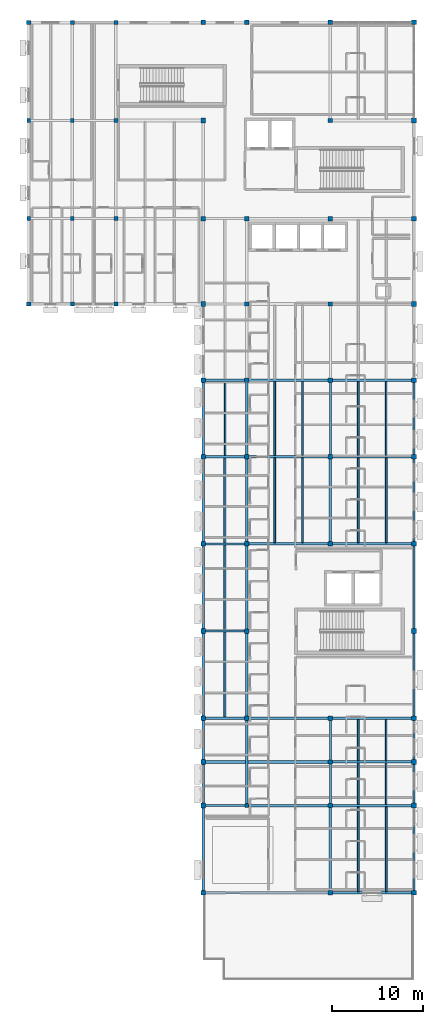
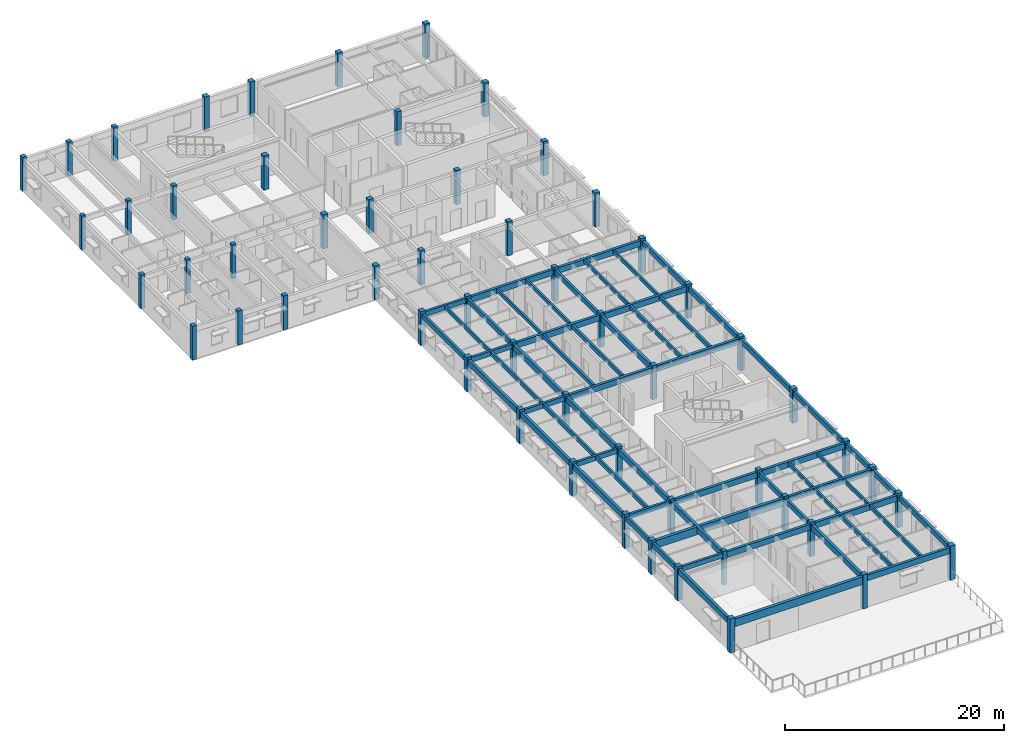
# One storey, part 1 of 22: 62 beams, 56 columns.
"""IFC4 building model written with IfcOpenShell, lengths in metres."""

from ifc_helpers import new_model, si_unit, direction, frame, origin, origin_2d, place, context, subcontext, project, spatial, rectangle, extrude, material, material_profile, profile_set, type_object, element, save


model = new_model("IFC4")

# Units and contexts
model_context = context("Model", 3, precision=1e-05, world=origin(), true_north=direction((0.0, 1.0)))
body_context = subcontext(model_context, "Body", "Model", "MODEL_VIEW")
ifc_project = project(units=[si_unit("LENGTHUNIT", "METRE"), si_unit("AREAUNIT", "SQUARE_METRE"), si_unit("VOLUMEUNIT", "CUBIC_METRE"), si_unit("PLANEANGLEUNIT", "RADIAN"), si_unit("MASSUNIT", "GRAM", prefix="KILO")], contexts=[model_context])

# Site, building, storey
site_placement = place(None, origin())
site = spatial("IfcSite", under=ifc_project, at=site_placement, CompositionType="ELEMENT")
building_placement = place(site_placement, origin())
building = spatial("IfcBuilding", under=site, at=building_placement, Name="Veldera Park Congress Hotel", CompositionType="ELEMENT")
storey_placement = place(building_placement, frame((0.0, 0.0, 23.800048828125)))
storey = spatial("IfcBuildingStorey", under=building, at=storey_placement, Name="L05", CompositionType="ELEMENT", Elevation=23.800048828125)

# Columns
ifc_material = material(Name="Glulam GL28h (NDS 24F-V4)", Category="wood")
ifc_material_profile_1 = material_profile(ifc_material, rectangle(XDim=0.419921875, YDim=0.419921875, at=origin_2d()), Name="GL28h 420x420")
ifc_profile_set_1 = profile_set([ifc_material_profile_1], Name="Glulam GL28h (NDS 24F-V4)")
column_type_1 = type_object("IfcColumnType", Name="COL-GL42", PredefinedType="COLUMN", material=ifc_profile_set_1)
for number, where, z_axis, x_axis, name in (
    (1, (41.60009765625, 36.39990234375, 0.0), (0.0, 0.0, 1.0), (1.0, 0.0, 0.0), "L05 Column COL-GL42 (41.6,36.4)"),
    (2, (41.60009765625, 47.199951171875, 0.0), (0.0, 0.0, 1.0), (1.0, 0.0, 0.0), "L05 Column COL-GL42 (41.6,47.2)"),
    (3, (46.39990234375, 36.39990234375, 0.0), (0.0, 0.0, 1.0), (1.0, 0.0, 0.0), "L05 Column COL-GL42 (46.4,36.4)"),
    (4, (46.39990234375, 47.199951171875, 0.0), (0.0, 0.0, 1.0), (1.0, 0.0, 0.0), "L05 Column COL-GL42 (46.4,47.2)"),
    (5, (51.199951171875, 36.39990234375, 0.0), (0.0, 0.0, 1.0), (1.0, 0.0, 0.0), "L05 Column COL-GL42 (51.2,36.4)"),
    (6, (51.199951171875, 47.199951171875, 0.0), (0.0, 0.0, 1.0), (1.0, 0.0, 0.0), "L05 Column COL-GL42 (51.2,47.2)"),
    (7, (65.60009765625, -28.199951171875, 0.0), (0.0, 0.0, 1.0), (1.0, 0.0, 0.0), "L05 Column COL-GL42 (65.6,-28.2)"),
):
    element("IfcColumn", number, at=place(storey_placement, frame(where, z_axis=z_axis, x_axis=x_axis)), inside=storey, type_object=column_type_1, Name=name, PredefinedType="COLUMN", context=body_context, shape_type="SweptSolid", body=[
        extrude(rectangle(XDim=0.419921875, YDim=0.419921875, at=origin_2d()), origin(), (0.0, 0.0, 1.0), 3.800048828125),
    ])
ifc_material_profile_2 = material_profile(ifc_material, rectangle(XDim=0.449951171875, YDim=0.449951171875, at=origin_2d()), Name="GL28h 450x450")
ifc_profile_set_2 = profile_set([ifc_material_profile_2], Name="Glulam GL28h (NDS 24F-V4)")
column_type_2 = type_object("IfcColumnType", Name="COL-GL42E", PredefinedType="COLUMN", material=ifc_profile_set_2)
for number, where, z_axis, x_axis, name in (
    (8, (41.60009765625, 27.0, 0.0), (0.0, 0.0, 1.0), (1.0, 0.0, 0.0), "L05 Column COL-GL42E (41.6,27.0)"),
    (9, (41.60009765625, 58.0, 0.0), (0.0, 0.0, 1.0), (1.0, 0.0, 0.0), "L05 Column COL-GL42E (41.6,58.0)"),
    (10, (46.39990234375, 27.0, 0.0), (0.0, 0.0, 1.0), (1.0, 0.0, 0.0), "L05 Column COL-GL42E (46.4,27.0)"),
    (11, (46.39990234375, 58.0, 0.0), (0.0, 0.0, 1.0), (1.0, 0.0, 0.0), "L05 Column COL-GL42E (46.4,58.0)"),
    (12, (51.199951171875, 27.0, 0.0), (0.0, 0.0, 1.0), (1.0, 0.0, 0.0), "L05 Column COL-GL42E (51.2,27.0)"),
    (13, (51.199951171875, 58.0, 0.0), (0.0, 0.0, 1.0), (1.0, 0.0, 0.0), "L05 Column COL-GL42E (51.2,58.0)"),
):
    element("IfcColumn", number, at=place(storey_placement, frame(where, z_axis=z_axis, x_axis=x_axis)), inside=storey, type_object=column_type_2, Name=name, PredefinedType="COLUMN", context=body_context, shape_type="SweptSolid", body=[
        extrude(rectangle(XDim=0.449951171875, YDim=0.449951171875, at=origin_2d()), origin(), (0.0, 0.0, 1.0), 3.800048828125),
    ])
ifc_material_profile_3 = material_profile(ifc_material, rectangle(XDim=0.47998046875, YDim=0.47998046875, at=origin_2d()), Name="GL28h 480x480")
ifc_profile_set_3 = profile_set([ifc_material_profile_3], Name="Glulam GL28h (NDS 24F-V4)")
column_type_3 = type_object("IfcColumnType", Name="COL-GL48", PredefinedType="COLUMN", material=ifc_profile_set_3)
for number, where, z_axis, x_axis, name in (
    (14, (74.800048828125, -37.800048828125, 0.0), (0.0, 0.0, 1.0), (1.0, 0.0, 0.0), "L05 Column COL-GL48 (74.8,-37.8)"),
    (15, (74.800048828125, -28.199951171875, 0.0), (0.0, 0.0, 1.0), (1.0, 0.0, 0.0), "L05 Column COL-GL48 (74.8,-28.2)"),
    (16, (74.800048828125, -23.39990234375, 0.0), (0.0, 0.0, 1.0), (1.0, 0.0, 0.0), "L05 Column COL-GL48 (74.8,-23.4)"),
    (17, (74.800048828125, -18.60009765625, 0.0), (0.0, 0.0, 1.0), (1.0, 0.0, 0.0), "L05 Column COL-GL48 (74.8,-18.6)"),
    (18, (74.800048828125, 0.60009765625, 0.0), (0.0, 0.0, 1.0), (1.0, 0.0, 0.0), "L05 Column COL-GL48 (74.8,0.6)"),
    (19, (74.800048828125, 10.199951171875, 0.0), (0.0, 0.0, 1.0), (1.0, 0.0, 0.0), "L05 Column COL-GL48 (74.8,10.2)"),
    (20, (74.800048828125, 18.60009765625, 0.0), (0.0, 0.0, 1.0), (1.0, 0.0, 0.0), "L05 Column COL-GL48 (74.8,18.6)"),
    (21, (74.800048828125, 27.0, 0.0), (0.0, 0.0, 1.0), (1.0, 0.0, 0.0), "L05 Column COL-GL48 (74.8,27.0)"),
    (22, (74.800048828125, 36.39990234375, 0.0), (0.0, 0.0, 1.0), (1.0, 0.0, 0.0), "L05 Column COL-GL48 (74.8,36.4)"),
    (23, (74.800048828125, 47.199951171875, 0.0), (0.0, 0.0, 1.0), (1.0, 0.0, 0.0), "L05 Column COL-GL48 (74.8,47.2)"),
    (24, (65.60009765625, -18.60009765625, 0.0), (0.0, 0.0, 1.0), (1.0, 0.0, 0.0), "L05 Column COL-GL48 (65.6,-18.6)"),
    (25, (65.60009765625, -9.0, 0.0), (0.0, 0.0, 1.0), (1.0, 0.0, 0.0), "L05 Column COL-GL48 (65.6,-9.0)"),
    (26, (65.60009765625, 0.60009765625, 0.0), (0.0, 0.0, 1.0), (1.0, 0.0, 0.0), "L05 Column COL-GL48 (65.6,0.6)"),
    (27, (65.60009765625, 10.199951171875, 0.0), (0.0, 0.0, 1.0), (1.0, 0.0, 0.0), "L05 Column COL-GL48 (65.6,10.2)"),
    (28, (65.60009765625, 18.60009765625, 0.0), (0.0, 0.0, 1.0), (1.0, 0.0, 0.0), "L05 Column COL-GL48 (65.6,18.6)"),
    (29, (65.60009765625, 27.0, 0.0), (0.0, 0.0, 1.0), (1.0, 0.0, 0.0), "L05 Column COL-GL48 (65.6,27.0)"),
    (30, (65.60009765625, 36.39990234375, 0.0), (0.0, 0.0, 1.0), (1.0, 0.0, 0.0), "L05 Column COL-GL48 (65.6,36.4)"),
):
    element("IfcColumn", number, at=place(storey_placement, frame(where, z_axis=z_axis, x_axis=x_axis)), inside=storey, type_object=column_type_3, Name=name, PredefinedType="COLUMN", context=body_context, shape_type="SweptSolid", body=[
        extrude(rectangle(XDim=0.47998046875, YDim=0.47998046875, at=origin_2d()), origin(), (0.0, 0.0, 1.0), 3.800048828125),
    ])
ifc_material_profile_4 = material_profile(ifc_material, rectangle(XDim=0.52001953125, YDim=0.52001953125, at=origin_2d()), Name="GL28h 520x520")
ifc_profile_set_4 = profile_set([ifc_material_profile_4], Name="Glulam GL28h (NDS 24F-V4)")
column_type_4 = type_object("IfcColumnType", Name="COL-GL48E", PredefinedType="COLUMN", material=ifc_profile_set_4)
for number, where, z_axis, x_axis, name in (
    (31, (60.800048828125, -37.800048828125, 0.0), (0.0, 0.0, 1.0), (1.0, 0.0, 0.0), "L05 Column COL-GL48E (60.8,-37.8)"),
    (32, (60.800048828125, -28.199951171875, 0.0), (0.0, 0.0, 1.0), (1.0, 0.0, 0.0), "L05 Column COL-GL48E (60.8,-28.2)"),
    (33, (60.800048828125, -23.39990234375, 0.0), (0.0, 0.0, 1.0), (1.0, 0.0, 0.0), "L05 Column COL-GL48E (60.8,-23.4)"),
    (34, (60.800048828125, -18.60009765625, 0.0), (0.0, 0.0, 1.0), (1.0, 0.0, 0.0), "L05 Column COL-GL48E (60.8,-18.6)"),
    (35, (60.800048828125, -9.0, 0.0), (0.0, 0.0, 1.0), (1.0, 0.0, 0.0), "L05 Column COL-GL48E (60.8,-9.0)"),
    (36, (60.800048828125, 0.60009765625, 0.0), (0.0, 0.0, 1.0), (1.0, 0.0, 0.0), "L05 Column COL-GL48E (60.8,0.6)"),
    (37, (60.800048828125, 10.199951171875, 0.0), (0.0, 0.0, 1.0), (1.0, 0.0, 0.0), "L05 Column COL-GL48E (60.8,10.2)"),
    (38, (60.800048828125, 18.60009765625, 0.0), (0.0, 0.0, 1.0), (1.0, 0.0, 0.0), "L05 Column COL-GL48E (60.8,18.6)"),
    (39, (60.800048828125, 27.0, 0.0), (0.0, 0.0, 1.0), (1.0, 0.0, 0.0), "L05 Column COL-GL48E (60.8,27.0)"),
    (40, (60.800048828125, 36.39990234375, 0.0), (0.0, 0.0, 1.0), (1.0, 0.0, 0.0), "L05 Column COL-GL48E (60.8,36.4)"),
    (41, (60.800048828125, 47.199951171875, 0.0), (0.0, 0.0, 1.0), (1.0, 0.0, 0.0), "L05 Column COL-GL48E (60.8,47.2)"),
    (42, (60.800048828125, 58.0, 0.0), (0.0, 0.0, 1.0), (1.0, 0.0, 0.0), "L05 Column COL-GL48E (60.8,58.0)"),
    (43, (74.800048828125, 58.0, 0.0), (0.0, 0.0, 1.0), (1.0, 0.0, 0.0), "L05 Column COL-GL48E (74.8,58.0)"),
    (44, (84.0, -37.800048828125, 0.0), (0.0, 0.0, 1.0), (1.0, 0.0, 0.0), "L05 Column COL-GL48E (84.0,-37.8)"),
    (45, (84.0, -28.199951171875, 0.0), (0.0, 0.0, 1.0), (1.0, 0.0, 0.0), "L05 Column COL-GL48E (84.0,-28.2)"),
    (46, (84.0, -23.39990234375, 0.0), (0.0, 0.0, 1.0), (1.0, 0.0, 0.0), "L05 Column COL-GL48E (84.0,-23.4)"),
    (47, (84.0, -18.60009765625, 0.0), (0.0, 0.0, 1.0), (1.0, 0.0, 0.0), "L05 Column COL-GL48E (84.0,-18.6)"),
    (48, (84.0, -9.0, 0.0), (0.0, 0.0, 1.0), (1.0, 0.0, 0.0), "L05 Column COL-GL48E (84.0,-9.0)"),
    (49, (84.0, 0.60009765625, 0.0), (0.0, 0.0, 1.0), (1.0, 0.0, 0.0), "L05 Column COL-GL48E (84.0,0.6)"),
    (50, (84.0, 10.199951171875, 0.0), (0.0, 0.0, 1.0), (1.0, 0.0, 0.0), "L05 Column COL-GL48E (84.0,10.2)"),
    (51, (84.0, 18.60009765625, 0.0), (0.0, 0.0, 1.0), (1.0, 0.0, 0.0), "L05 Column COL-GL48E (84.0,18.6)"),
    (52, (84.0, 27.0, 0.0), (0.0, 0.0, 1.0), (1.0, 0.0, 0.0), "L05 Column COL-GL48E (84.0,27.0)"),
    (53, (84.0, 36.39990234375, 0.0), (0.0, 0.0, 1.0), (1.0, 0.0, 0.0), "L05 Column COL-GL48E (84.0,36.4)"),
    (54, (84.0, 47.199951171875, 0.0), (0.0, 0.0, 1.0), (1.0, 0.0, 0.0), "L05 Column COL-GL48E (84.0,47.2)"),
    (55, (84.0, 58.0, 0.0), (0.0, 0.0, 1.0), (1.0, 0.0, 0.0), "L05 Column COL-GL48E (84.0,58.0)"),
    (56, (65.60009765625, 58.0, 0.0), (0.0, 0.0, 1.0), (1.0, 0.0, 0.0), "L05 Column COL-GL48E (65.6,58.0)"),
):
    element("IfcColumn", number, at=place(storey_placement, frame(where, z_axis=z_axis, x_axis=x_axis)), inside=storey, type_object=column_type_4, Name=name, PredefinedType="COLUMN", context=body_context, shape_type="SweptSolid", body=[
        extrude(rectangle(XDim=0.52001953125, YDim=0.52001953125, at=origin_2d()), origin(), (0.0, 0.0, 1.0), 3.800048828125),
    ])

# Beams
ifc_material_profile_5 = material_profile(ifc_material, rectangle(XDim=0.239990234375, YDim=0.5400390625, at=origin_2d()), Name="GL28h 240x540")
ifc_profile_set_5 = profile_set([ifc_material_profile_5], Name="Glulam GL28h (NDS 24F-V4)")
beam_type_1 = type_object("IfcBeamType", Name="BM-GL540", PredefinedType="BEAM", material=ifc_profile_set_5)
beam_1_placement = place(storey_placement, frame((61.06005859375, -28.199951171875, 3.280029296875), z_axis=(1.0, 0.0, 0.0), x_axis=(0.0, 1.0, 0.0)))
element("IfcBeam", 57, at=beam_1_placement, inside=storey, type_object=beam_type_1, Name="L05 Girder BM-GL540 1391", PredefinedType="BEAM", context=body_context, shape_type="SweptSolid", body=[
    extrude(rectangle(XDim=0.239990234375, YDim=0.5400390625, at=origin_2d()), origin(), (0.0, 0.0, 1.0), 4.329833984375),
])
for number, where, z_axis, x_axis, name in (
    (58, (61.06005859375, -18.60009765625, 3.280029296875), (1.0, 0.0, 0.0), (0.0, 1.0, 0.0), "L05 Girder BM-GL540 1396"),
    (59, (61.06005859375, -9.0, 3.280029296875), (1.0, 0.0, 0.0), (0.0, 1.0, 0.0), "L05 Girder BM-GL540 1399"),
    (60, (61.06005859375, 0.60009765625, 3.280029296875), (1.0, 0.0, 0.0), (0.0, 1.0, 0.0), "L05 Girder BM-GL540 1400"),
    (61, (61.06005859375, 10.199951171875, 3.280029296875), (1.0, 0.0, 0.0), (0.0, 1.0, 0.0), "L05 Girder BM-GL540 1403"),
    (62, (61.06005859375, 18.60009765625, 3.280029296875), (1.0, 0.0, 0.0), (0.0, 1.0, 0.0), "L05 Girder BM-GL540 1406"),
):
    element("IfcBeam", number, at=place(storey_placement, frame(where, z_axis=z_axis, x_axis=x_axis)), inside=storey, type_object=beam_type_1, Name=name, PredefinedType="BEAM", context=body_context, shape_type="SweptSolid", body=[
        extrude(rectangle(XDim=0.239990234375, YDim=0.5400390625, at=origin_2d()), origin(), (0.0, 0.0, 1.0), 4.300048828125),
    ])
beam_2_placement = place(storey_placement, frame((60.800048828125, -27.93994140625, 3.280029296875), z_axis=(0.0, 1.0, 0.0), x_axis=(-1.0, 0.0, 0.0)))
element("IfcBeam", 63, at=beam_2_placement, inside=storey, type_object=beam_type_1, Name="L05 Girder BM-GL540 1441", PredefinedType="BEAM", context=body_context, shape_type="SweptSolid", body=[
    extrude(rectangle(XDim=0.239990234375, YDim=0.5400390625, at=origin_2d()), origin(), (0.0, 0.0, 1.0), 4.280029296875),
])
beam_3_placement = place(storey_placement, frame((60.800048828125, -23.139892578125, 3.280029296875), z_axis=(0.0, 1.0, 0.0), x_axis=(-1.0, 0.0, 0.0)))
element("IfcBeam", 64, at=beam_3_placement, inside=storey, type_object=beam_type_1, Name="L05 Girder BM-GL540 1442", PredefinedType="BEAM", context=body_context, shape_type="SweptSolid", body=[
    extrude(rectangle(XDim=0.239990234375, YDim=0.5400390625, at=origin_2d()), origin(), (0.0, 0.0, 1.0), 4.27978515625),
])
beam_4_placement = place(storey_placement, frame((60.800048828125, 10.4599609375, 3.280029296875), z_axis=(0.0, 1.0, 0.0), x_axis=(-1.0, 0.0, 0.0)))
element("IfcBeam", 65, at=beam_4_placement, inside=storey, type_object=beam_type_1, Name="L05 Girder BM-GL540 1446", PredefinedType="BEAM", context=body_context, shape_type="SweptSolid", body=[
    extrude(rectangle(XDim=0.239990234375, YDim=0.5400390625, at=origin_2d()), origin(), (0.0, 0.0, 1.0), 7.880126953125),
])
beam_5_placement = place(storey_placement, frame((65.60009765625, 10.43994140625, 3.280029296875), z_axis=(0.0, 1.0, 0.0), x_axis=(-1.0, 0.0, 0.0)))
element("IfcBeam", 66, at=beam_5_placement, inside=storey, type_object=beam_type_1, Name="L05 Girder BM-GL540 1454", PredefinedType="BEAM", context=body_context, shape_type="SweptSolid", body=[
    extrude(rectangle(XDim=0.239990234375, YDim=0.5400390625, at=origin_2d()), origin(), (0.0, 0.0, 1.0), 7.920166015625),
])
beam_6_placement = place(storey_placement, frame((74.800048828125, -27.9599609375, 3.280029296875), z_axis=(0.0, 1.0, 0.0), x_axis=(-1.0, 0.0, 0.0)))
element("IfcBeam", 67, at=beam_6_placement, inside=storey, type_object=beam_type_1, Name="L05 Girder BM-GL540 1458", PredefinedType="BEAM", context=body_context, shape_type="SweptSolid", body=[
    extrude(rectangle(XDim=0.239990234375, YDim=0.5400390625, at=origin_2d()), origin(), (0.0, 0.0, 1.0), 4.320068359375),
])
beam_7_placement = place(storey_placement, frame((74.800048828125, -23.159912109375, 3.280029296875), z_axis=(0.0, 1.0, 0.0), x_axis=(-1.0, 0.0, 0.0)))
element("IfcBeam", 68, at=beam_7_placement, inside=storey, type_object=beam_type_1, Name="L05 Girder BM-GL540 1459", PredefinedType="BEAM", context=body_context, shape_type="SweptSolid", body=[
    extrude(rectangle(XDim=0.239990234375, YDim=0.5400390625, at=origin_2d()), origin(), (0.0, 0.0, 1.0), 4.31982421875),
])
beam_8_placement = place(storey_placement, frame((74.800048828125, 10.43994140625, 3.280029296875), z_axis=(0.0, 1.0, 0.0), x_axis=(-1.0, 0.0, 0.0)))
element("IfcBeam", 69, at=beam_8_placement, inside=storey, type_object=beam_type_1, Name="L05 Girder BM-GL540 1461", PredefinedType="BEAM", context=body_context, shape_type="SweptSolid", body=[
    extrude(rectangle(XDim=0.239990234375, YDim=0.5400390625, at=origin_2d()), origin(), (0.0, 0.0, 1.0), 7.920166015625),
])
ifc_material_profile_6 = material_profile(ifc_material, rectangle(XDim=0.264892578125, YDim=0.580078125, at=origin_2d()), Name="GL28h 265x580")
ifc_profile_set_6 = profile_set([ifc_material_profile_6], Name="Glulam GL28h (NDS 24F-V4)")
beam_type_2 = type_object("IfcBeamType", Name="BM-GL540E", PredefinedType="BEAM", material=ifc_profile_set_6)
beam_9_placement = place(storey_placement, frame((84.0, -37.5400390625, 3.260009765625), z_axis=(0.0, 1.0, 0.0), x_axis=(-1.0, 0.0, 0.0)))
element("IfcBeam", 70, at=beam_9_placement, inside=storey, type_object=beam_type_2, Name="L05 Girder BM-GL540E 1464", PredefinedType="BEAM", context=body_context, shape_type="SweptSolid", body=[
    extrude(rectangle(XDim=0.264892578125, YDim=0.580078125, at=origin_2d()), origin(), (0.0, 0.0, 1.0), 9.080078125),
])
beam_10_placement = place(storey_placement, frame((84.0, -27.93994140625, 3.260009765625), z_axis=(0.0, 1.0, 0.0), x_axis=(-1.0, 0.0, 0.0)))
element("IfcBeam", 71, at=beam_10_placement, inside=storey, type_object=beam_type_2, Name="L05 Girder BM-GL540E 1465", PredefinedType="BEAM", context=body_context, shape_type="SweptSolid", body=[
    extrude(rectangle(XDim=0.264892578125, YDim=0.580078125, at=origin_2d()), origin(), (0.0, 0.0, 1.0), 4.280029296875),
])
beam_11_placement = place(storey_placement, frame((84.0, -23.139892578125, 3.260009765625), z_axis=(0.0, 1.0, 0.0), x_axis=(-1.0, 0.0, 0.0)))
element("IfcBeam", 72, at=beam_11_placement, inside=storey, type_object=beam_type_2, Name="L05 Girder BM-GL540E 1466", PredefinedType="BEAM", context=body_context, shape_type="SweptSolid", body=[
    extrude(rectangle(XDim=0.264892578125, YDim=0.580078125, at=origin_2d()), origin(), (0.0, 0.0, 1.0), 4.27978515625),
])
for number, where, z_axis, x_axis, name in (
    (73, (84.0, -18.340087890625, 3.260009765625), (0.0, 1.0, 0.0), (-1.0, 0.0, 0.0), "L05 Girder BM-GL540E 1467"),
    (74, (84.0, -8.739990234375, 3.260009765625), (0.0, 1.0, 0.0), (-1.0, 0.0, 0.0), "L05 Girder BM-GL540E 1468"),
):
    element("IfcBeam", number, at=place(storey_placement, frame(where, z_axis=z_axis, x_axis=x_axis)), inside=storey, type_object=beam_type_2, Name=name, PredefinedType="BEAM", context=body_context, shape_type="SweptSolid", body=[
        extrude(rectangle(XDim=0.264892578125, YDim=0.580078125, at=origin_2d()), origin(), (0.0, 0.0, 1.0), 9.080078125),
    ])
beam_12_placement = place(storey_placement, frame((84.0, 0.860107421875, 3.260009765625), z_axis=(0.0, 1.0, 0.0), x_axis=(-1.0, 0.0, 0.0)))
element("IfcBeam", 75, at=beam_12_placement, inside=storey, type_object=beam_type_2, Name="L05 Girder BM-GL540E 1469", PredefinedType="BEAM", context=body_context, shape_type="SweptSolid", body=[
    extrude(rectangle(XDim=0.264892578125, YDim=0.580078125, at=origin_2d()), origin(), (0.0, 0.0, 1.0), 9.079833984375),
])
beam_13_placement = place(storey_placement, frame((84.0, 10.4599609375, 3.260009765625), z_axis=(0.0, 1.0, 0.0), x_axis=(-1.0, 0.0, 0.0)))
element("IfcBeam", 76, at=beam_13_placement, inside=storey, type_object=beam_type_2, Name="L05 Girder BM-GL540E 1470", PredefinedType="BEAM", context=body_context, shape_type="SweptSolid", body=[
    extrude(rectangle(XDim=0.264892578125, YDim=0.580078125, at=origin_2d()), origin(), (0.0, 0.0, 1.0), 7.880126953125),
])
ifc_material_profile_7 = material_profile(ifc_material, rectangle(XDim=0.280029296875, YDim=0.639892578125, at=origin_2d()), Name="GL28h 280x640")
ifc_profile_set_7 = profile_set([ifc_material_profile_7], Name="Glulam GL28h (NDS 24F-V4)")
beam_type_3 = type_object("IfcBeamType", Name="BM-GL640", PredefinedType="BEAM", material=ifc_profile_set_7)
beam_14_placement = place(storey_placement, frame((75.0400390625, -37.800048828125, 3.22998046875), z_axis=(1.0, 0.0, 0.0), x_axis=(0.0, 1.0, 0.0)))
element("IfcBeam", 77, at=beam_14_placement, inside=storey, type_object=beam_type_3, Name="L05 Girder BM-GL640 1390", PredefinedType="BEAM", context=body_context, shape_type="SweptSolid", body=[
    extrude(rectangle(XDim=0.280029296875, YDim=0.639892578125, at=origin_2d()), origin(), (0.0, 0.0, 1.0), 8.699951171875),
])
beam_15_placement = place(storey_placement, frame((65.81005859375, -28.199951171875, 3.22998046875), z_axis=(1.0, 0.0, 0.0), x_axis=(0.0, 1.0, 0.0)))
element("IfcBeam", 78, at=beam_15_placement, inside=storey, type_object=beam_type_3, Name="L05 Girder BM-GL640 1392", PredefinedType="BEAM", context=body_context, shape_type="SweptSolid", body=[
    extrude(rectangle(XDim=0.280029296875, YDim=0.639892578125, at=origin_2d()), origin(), (0.0, 0.0, 1.0), 8.75),
])
for number, where, z_axis, x_axis, name in (
    (79, (75.0400390625, -28.199951171875, 3.22998046875), (1.0, 0.0, 0.0), (0.0, 1.0, 0.0), "L05 Girder BM-GL640 1393"),
    (80, (75.0400390625, -23.39990234375, 3.22998046875), (1.0, 0.0, 0.0), (0.0, 1.0, 0.0), "L05 Girder BM-GL640 1395"),
):
    element("IfcBeam", number, at=place(storey_placement, frame(where, z_axis=z_axis, x_axis=x_axis)), inside=storey, type_object=beam_type_3, Name=name, PredefinedType="BEAM", context=body_context, shape_type="SweptSolid", body=[
        extrude(rectangle(XDim=0.280029296875, YDim=0.639892578125, at=origin_2d()), origin(), (0.0, 0.0, 1.0), 8.699951171875),
    ])
beam_16_placement = place(storey_placement, frame((65.840087890625, -18.60009765625, 3.22998046875), z_axis=(1.0, 0.0, 0.0), x_axis=(0.0, 1.0, 0.0)))
element("IfcBeam", 81, at=beam_16_placement, inside=storey, type_object=beam_type_3, Name="L05 Girder BM-GL640 1397", PredefinedType="BEAM", context=body_context, shape_type="SweptSolid", body=[
    extrude(rectangle(XDim=0.280029296875, YDim=0.639892578125, at=origin_2d()), origin(), (0.0, 0.0, 1.0), 8.719970703125),
])
beam_17_placement = place(storey_placement, frame((75.0400390625, -18.60009765625, 3.22998046875), z_axis=(1.0, 0.0, 0.0), x_axis=(0.0, 1.0, 0.0)))
element("IfcBeam", 82, at=beam_17_placement, inside=storey, type_object=beam_type_3, Name="L05 Girder BM-GL640 1398", PredefinedType="BEAM", context=body_context, shape_type="SweptSolid", body=[
    extrude(rectangle(XDim=0.280029296875, YDim=0.639892578125, at=origin_2d()), origin(), (0.0, 0.0, 1.0), 8.699951171875),
])
beam_18_placement = place(storey_placement, frame((65.840087890625, 0.60009765625, 3.22998046875), z_axis=(1.0, 0.0, 0.0), x_axis=(0.0, 1.0, 0.0)))
element("IfcBeam", 83, at=beam_18_placement, inside=storey, type_object=beam_type_3, Name="L05 Girder BM-GL640 1401", PredefinedType="BEAM", context=body_context, shape_type="SweptSolid", body=[
    extrude(rectangle(XDim=0.280029296875, YDim=0.639892578125, at=origin_2d()), origin(), (0.0, 0.0, 1.0), 8.719970703125),
])
beam_19_placement = place(storey_placement, frame((75.0400390625, 0.60009765625, 3.22998046875), z_axis=(1.0, 0.0, 0.0), x_axis=(0.0, 1.0, 0.0)))
element("IfcBeam", 84, at=beam_19_placement, inside=storey, type_object=beam_type_3, Name="L05 Girder BM-GL640 1402", PredefinedType="BEAM", context=body_context, shape_type="SweptSolid", body=[
    extrude(rectangle(XDim=0.280029296875, YDim=0.639892578125, at=origin_2d()), origin(), (0.0, 0.0, 1.0), 8.699951171875),
])
beam_20_placement = place(storey_placement, frame((65.840087890625, 10.199951171875, 3.22998046875), z_axis=(1.0, 0.0, 0.0), x_axis=(0.0, 1.0, 0.0)))
element("IfcBeam", 85, at=beam_20_placement, inside=storey, type_object=beam_type_3, Name="L05 Girder BM-GL640 1404", PredefinedType="BEAM", context=body_context, shape_type="SweptSolid", body=[
    extrude(rectangle(XDim=0.280029296875, YDim=0.639892578125, at=origin_2d()), origin(), (0.0, 0.0, 1.0), 8.719970703125),
])
beam_21_placement = place(storey_placement, frame((75.0400390625, 10.199951171875, 3.22998046875), z_axis=(1.0, 0.0, 0.0), x_axis=(0.0, 1.0, 0.0)))
element("IfcBeam", 86, at=beam_21_placement, inside=storey, type_object=beam_type_3, Name="L05 Girder BM-GL640 1405", PredefinedType="BEAM", context=body_context, shape_type="SweptSolid", body=[
    extrude(rectangle(XDim=0.280029296875, YDim=0.639892578125, at=origin_2d()), origin(), (0.0, 0.0, 1.0), 8.699951171875),
])
beam_22_placement = place(storey_placement, frame((65.840087890625, 18.60009765625, 3.22998046875), z_axis=(1.0, 0.0, 0.0), x_axis=(0.0, 1.0, 0.0)))
element("IfcBeam", 87, at=beam_22_placement, inside=storey, type_object=beam_type_3, Name="L05 Girder BM-GL640 1407", PredefinedType="BEAM", context=body_context, shape_type="SweptSolid", body=[
    extrude(rectangle(XDim=0.280029296875, YDim=0.639892578125, at=origin_2d()), origin(), (0.0, 0.0, 1.0), 8.719970703125),
])
beam_23_placement = place(storey_placement, frame((75.0400390625, 18.60009765625, 3.22998046875), z_axis=(1.0, 0.0, 0.0), x_axis=(0.0, 1.0, 0.0)))
element("IfcBeam", 88, at=beam_23_placement, inside=storey, type_object=beam_type_3, Name="L05 Girder BM-GL640 1408", PredefinedType="BEAM", context=body_context, shape_type="SweptSolid", body=[
    extrude(rectangle(XDim=0.280029296875, YDim=0.639892578125, at=origin_2d()), origin(), (0.0, 0.0, 1.0), 8.699951171875),
])
for number, where, z_axis, x_axis, name in (
    (89, (60.800048828125, -37.5400390625, 3.22998046875), (0.0, 1.0, 0.0), (-1.0, 0.0, 0.0), "L05 Girder BM-GL640 1440"),
    (90, (60.800048828125, -18.340087890625, 3.22998046875), (0.0, 1.0, 0.0), (-1.0, 0.0, 0.0), "L05 Girder BM-GL640 1443"),
    (91, (60.800048828125, -8.739990234375, 3.22998046875), (0.0, 1.0, 0.0), (-1.0, 0.0, 0.0), "L05 Girder BM-GL640 1444"),
):
    element("IfcBeam", number, at=place(storey_placement, frame(where, z_axis=z_axis, x_axis=x_axis)), inside=storey, type_object=beam_type_3, Name=name, PredefinedType="BEAM", context=body_context, shape_type="SweptSolid", body=[
        extrude(rectangle(XDim=0.280029296875, YDim=0.639892578125, at=origin_2d()), origin(), (0.0, 0.0, 1.0), 9.080078125),
    ])
beam_24_placement = place(storey_placement, frame((60.800048828125, 0.860107421875, 3.22998046875), z_axis=(0.0, 1.0, 0.0), x_axis=(-1.0, 0.0, 0.0)))
element("IfcBeam", 92, at=beam_24_placement, inside=storey, type_object=beam_type_3, Name="L05 Girder BM-GL640 1445", PredefinedType="BEAM", context=body_context, shape_type="SweptSolid", body=[
    extrude(rectangle(XDim=0.280029296875, YDim=0.639892578125, at=origin_2d()), origin(), (0.0, 0.0, 1.0), 9.079833984375),
])
beam_25_placement = place(storey_placement, frame((65.60009765625, -27.989990234375, 3.22998046875), z_axis=(0.0, 1.0, 0.0), x_axis=(-1.0, 0.0, 0.0)))
element("IfcBeam", 93, at=beam_25_placement, inside=storey, type_object=beam_type_3, Name="L05 Girder BM-GL640 1450", PredefinedType="BEAM", context=body_context, shape_type="SweptSolid", body=[
    extrude(rectangle(XDim=0.280029296875, YDim=0.639892578125, at=origin_2d()), origin(), (0.0, 0.0, 1.0), 9.14990234375),
])
for number, where, z_axis, x_axis, name in (
    (94, (65.60009765625, -18.360107421875, 3.22998046875), (0.0, 1.0, 0.0), (-1.0, 0.0, 0.0), "L05 Girder BM-GL640 1451"),
    (95, (65.60009765625, -8.760009765625, 3.22998046875), (0.0, 1.0, 0.0), (-1.0, 0.0, 0.0), "L05 Girder BM-GL640 1452"),
):
    element("IfcBeam", number, at=place(storey_placement, frame(where, z_axis=z_axis, x_axis=x_axis)), inside=storey, type_object=beam_type_3, Name=name, PredefinedType="BEAM", context=body_context, shape_type="SweptSolid", body=[
        extrude(rectangle(XDim=0.280029296875, YDim=0.639892578125, at=origin_2d()), origin(), (0.0, 0.0, 1.0), 9.1201171875),
    ])
beam_26_placement = place(storey_placement, frame((65.60009765625, 0.840087890625, 3.22998046875), z_axis=(0.0, 1.0, 0.0), x_axis=(-1.0, 0.0, 0.0)))
element("IfcBeam", 96, at=beam_26_placement, inside=storey, type_object=beam_type_3, Name="L05 Girder BM-GL640 1453", PredefinedType="BEAM", context=body_context, shape_type="SweptSolid", body=[
    extrude(rectangle(XDim=0.280029296875, YDim=0.639892578125, at=origin_2d()), origin(), (0.0, 0.0, 1.0), 9.119873046875),
])
beam_27_placement = place(storey_placement, frame((74.800048828125, -37.56005859375, 3.22998046875), z_axis=(0.0, 1.0, 0.0), x_axis=(-1.0, 0.0, 0.0)))
element("IfcBeam", 97, at=beam_27_placement, inside=storey, type_object=beam_type_3, Name="L05 Girder BM-GL640 1457", PredefinedType="BEAM", context=body_context, shape_type="SweptSolid", body=[
    extrude(rectangle(XDim=0.280029296875, YDim=0.639892578125, at=origin_2d()), origin(), (0.0, 0.0, 1.0), 9.1201171875),
])
beam_28_placement = place(storey_placement, frame((74.800048828125, 0.840087890625, 3.22998046875), z_axis=(0.0, 1.0, 0.0), x_axis=(-1.0, 0.0, 0.0)))
element("IfcBeam", 98, at=beam_28_placement, inside=storey, type_object=beam_type_3, Name="L05 Girder BM-GL640 1460", PredefinedType="BEAM", context=body_context, shape_type="SweptSolid", body=[
    extrude(rectangle(XDim=0.280029296875, YDim=0.639892578125, at=origin_2d()), origin(), (0.0, 0.0, 1.0), 9.119873046875),
])
ifc_material_profile_8 = material_profile(ifc_material, rectangle(XDim=0.31494140625, YDim=0.860107421875, at=origin_2d()), Name="GL28h 315x860")
ifc_profile_set_8 = profile_set([ifc_material_profile_8], Name="Glulam GL28h (NDS 24F-V4)")
beam_type_4 = type_object("IfcBeamType", Name="BM-GL860", PredefinedType="BEAM", material=ifc_profile_set_8)
for number, where, z_axis, x_axis, name in (
    (99, (61.06005859375, -37.800048828125, 3.119873046875), (1.0, 0.0, 0.0), (0.0, 1.0, 0.0), "L05 Girder BM-GL860 1389"),
    (100, (61.06005859375, -23.39990234375, 3.119873046875), (1.0, 0.0, 0.0), (0.0, 1.0, 0.0), "L05 Girder BM-GL860 1394"),
):
    element("IfcBeam", number, at=place(storey_placement, frame(where, z_axis=z_axis, x_axis=x_axis)), inside=storey, type_object=beam_type_4, Name=name, PredefinedType="BEAM", context=body_context, shape_type="SweptSolid", body=[
        extrude(rectangle(XDim=0.31494140625, YDim=0.860107421875, at=origin_2d()), origin(), (0.0, 0.0, 1.0), 13.5),
    ])
ifc_material_profile_9 = material_profile(ifc_material, rectangle(XDim=0.18994140625, YDim=0.39990234375, at=origin_2d()), Name="GL28h 190x400")
ifc_profile_set_9 = profile_set([ifc_material_profile_9], Name="Glulam GL28h (NDS 24F-V4)")
beam_type_5 = type_object("IfcBeamType", Name="JST-GL400", PredefinedType="JOIST", material=ifc_profile_set_9)
for number, where, z_axis, x_axis, name in (
    (101, (77.86669921875, -28.06005859375, 3.349853515625), (0.0, 1.0, 0.0), (-1.0, 0.0, 0.0), "L05 Floor Joist JST-GL400 1477"),
    (102, (80.933349609375, -28.06005859375, 3.349853515625), (0.0, 1.0, 0.0), (-1.0, 0.0, 0.0), "L05 Floor Joist JST-GL400 1478"),
    (103, (77.86669921875, -23.260009765625, 3.349853515625), (0.0, 1.0, 0.0), (-1.0, 0.0, 0.0), "L05 Floor Joist JST-GL400 1479"),
    (104, (80.933349609375, -23.260009765625, 3.349853515625), (0.0, 1.0, 0.0), (-1.0, 0.0, 0.0), "L05 Floor Joist JST-GL400 1480"),
):
    element("IfcBeam", number, at=place(storey_placement, frame(where, z_axis=z_axis, x_axis=x_axis)), inside=storey, type_object=beam_type_5, Name=name, PredefinedType="JOIST", context=body_context, shape_type="SweptSolid", body=[
        extrude(rectangle(XDim=0.18994140625, YDim=0.39990234375, at=origin_2d()), origin(), (0.0, 0.0, 1.0), 4.52001953125),
    ])
beam_29_placement = place(storey_placement, frame((63.199951171875, 10.320068359375, 3.349853515625), z_axis=(0.0, 1.0, 0.0), x_axis=(-1.0, 0.0, 0.0)))
element("IfcBeam", 105, at=beam_29_placement, inside=storey, type_object=beam_type_5, Name="L05 Floor Joist JST-GL400 1488", PredefinedType="JOIST", context=body_context, shape_type="SweptSolid", body=[
    extrude(rectangle(XDim=0.18994140625, YDim=0.39990234375, at=origin_2d()), origin(), (0.0, 0.0, 1.0), 8.159912109375),
])
for number, where, z_axis, x_axis, name in (
    (106, (68.666748046875, 10.340087890625, 3.349853515625), (0.0, 1.0, 0.0), (-1.0, 0.0, 0.0), "L05 Floor Joist JST-GL400 1489"),
    (107, (71.7333984375, 10.340087890625, 3.349853515625), (0.0, 1.0, 0.0), (-1.0, 0.0, 0.0), "L05 Floor Joist JST-GL400 1490"),
    (108, (77.86669921875, 10.340087890625, 3.349853515625), (0.0, 1.0, 0.0), (-1.0, 0.0, 0.0), "L05 Floor Joist JST-GL400 1491"),
    (109, (80.933349609375, 10.340087890625, 3.349853515625), (0.0, 1.0, 0.0), (-1.0, 0.0, 0.0), "L05 Floor Joist JST-GL400 1492"),
):
    element("IfcBeam", number, at=place(storey_placement, frame(where, z_axis=z_axis, x_axis=x_axis)), inside=storey, type_object=beam_type_5, Name=name, PredefinedType="JOIST", context=body_context, shape_type="SweptSolid", body=[
        extrude(rectangle(XDim=0.18994140625, YDim=0.39990234375, at=origin_2d()), origin(), (0.0, 0.0, 1.0), 8.119873046875),
    ])
ifc_material_profile_10 = material_profile(ifc_material, rectangle(XDim=0.215087890625, YDim=0.449951171875, at=origin_2d()), Name="GL28h 215x450")
ifc_profile_set_10 = profile_set([ifc_material_profile_10], Name="Glulam GL28h (NDS 24F-V4)")
beam_type_6 = type_object("IfcBeamType", Name="JST-GL450", PredefinedType="JOIST", material=ifc_profile_set_10)
for number, where, z_axis, x_axis, name in (
    (110, (77.86669921875, -37.659912109375, 3.324951171875), (0.0, 1.0, 0.0), (-1.0, 0.0, 0.0), "L05 Floor Joist JST-GL450 1475"),
    (111, (80.933349609375, -37.659912109375, 3.324951171875), (0.0, 1.0, 0.0), (-1.0, 0.0, 0.0), "L05 Floor Joist JST-GL450 1476"),
):
    element("IfcBeam", number, at=place(storey_placement, frame(where, z_axis=z_axis, x_axis=x_axis)), inside=storey, type_object=beam_type_6, Name=name, PredefinedType="JOIST", context=body_context, shape_type="SweptSolid", body=[
        extrude(rectangle(XDim=0.215087890625, YDim=0.449951171875, at=origin_2d()), origin(), (0.0, 0.0, 1.0), 9.31982421875),
    ])
for number, where, z_axis, x_axis, name in (
    (112, (63.199951171875, -18.47998046875, 3.324951171875), (0.0, 1.0, 0.0), (-1.0, 0.0, 0.0), "L05 Floor Joist JST-GL450 1481"),
    (113, (63.199951171875, -8.8798828125, 3.324951171875), (0.0, 1.0, 0.0), (-1.0, 0.0, 0.0), "L05 Floor Joist JST-GL450 1482"),
):
    element("IfcBeam", number, at=place(storey_placement, frame(where, z_axis=z_axis, x_axis=x_axis)), inside=storey, type_object=beam_type_6, Name=name, PredefinedType="JOIST", context=body_context, shape_type="SweptSolid", body=[
        extrude(rectangle(XDim=0.215087890625, YDim=0.449951171875, at=origin_2d()), origin(), (0.0, 0.0, 1.0), 9.35986328125),
    ])
beam_30_placement = place(storey_placement, frame((63.199951171875, 0.719970703125, 3.324951171875), z_axis=(0.0, 1.0, 0.0), x_axis=(-1.0, 0.0, 0.0)))
element("IfcBeam", 114, at=beam_30_placement, inside=storey, type_object=beam_type_6, Name="L05 Floor Joist JST-GL450 1483", PredefinedType="JOIST", context=body_context, shape_type="SweptSolid", body=[
    extrude(rectangle(XDim=0.215087890625, YDim=0.449951171875, at=origin_2d()), origin(), (0.0, 0.0, 1.0), 9.360107421875),
])
for number, where, z_axis, x_axis, name in (
    (115, (68.666748046875, 0.739990234375, 3.324951171875), (0.0, 1.0, 0.0), (-1.0, 0.0, 0.0), "L05 Floor Joist JST-GL450 1484"),
    (116, (71.7333984375, 0.739990234375, 3.324951171875), (0.0, 1.0, 0.0), (-1.0, 0.0, 0.0), "L05 Floor Joist JST-GL450 1485"),
    (117, (77.86669921875, 0.739990234375, 3.324951171875), (0.0, 1.0, 0.0), (-1.0, 0.0, 0.0), "L05 Floor Joist JST-GL450 1486"),
    (118, (80.933349609375, 0.739990234375, 3.324951171875), (0.0, 1.0, 0.0), (-1.0, 0.0, 0.0), "L05 Floor Joist JST-GL450 1487"),
):
    element("IfcBeam", number, at=place(storey_placement, frame(where, z_axis=z_axis, x_axis=x_axis)), inside=storey, type_object=beam_type_6, Name=name, PredefinedType="JOIST", context=body_context, shape_type="SweptSolid", body=[
        extrude(rectangle(XDim=0.215087890625, YDim=0.449951171875, at=origin_2d()), origin(), (0.0, 0.0, 1.0), 9.320068359375),
    ])

save(model, "model.ifc")
